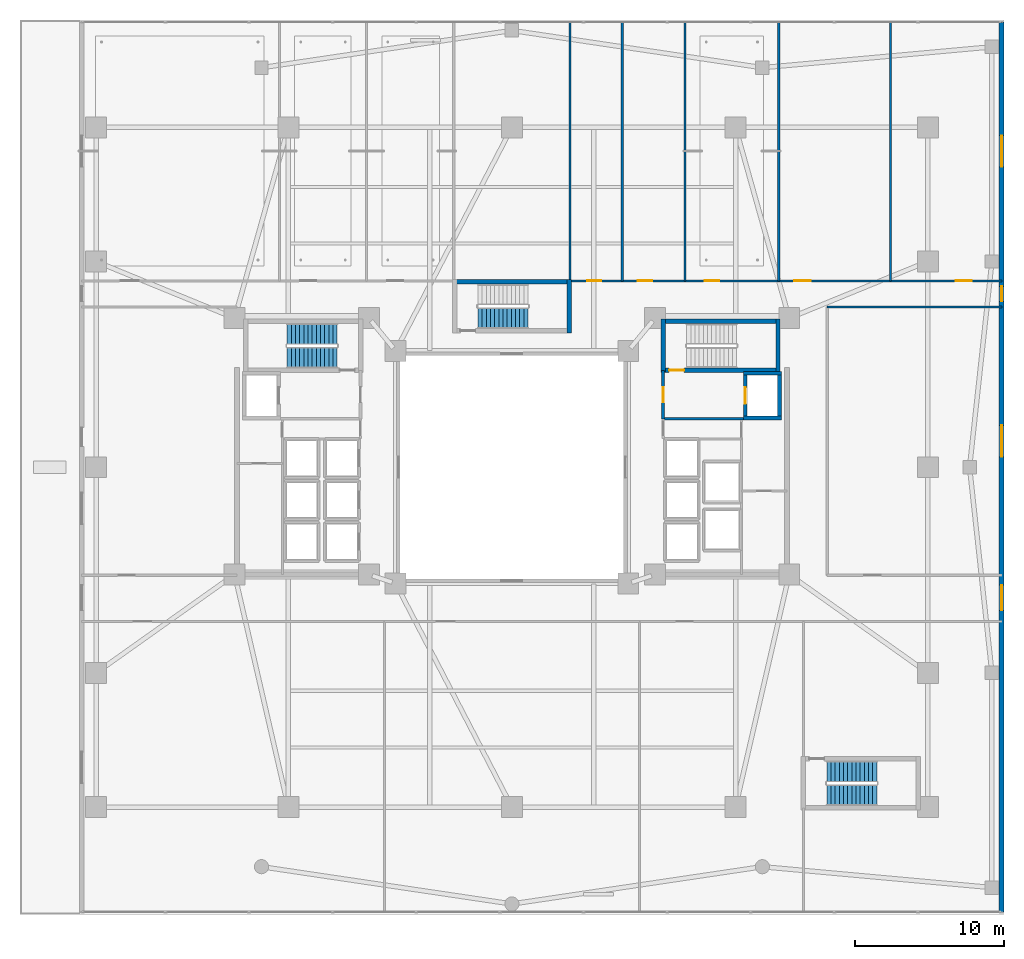
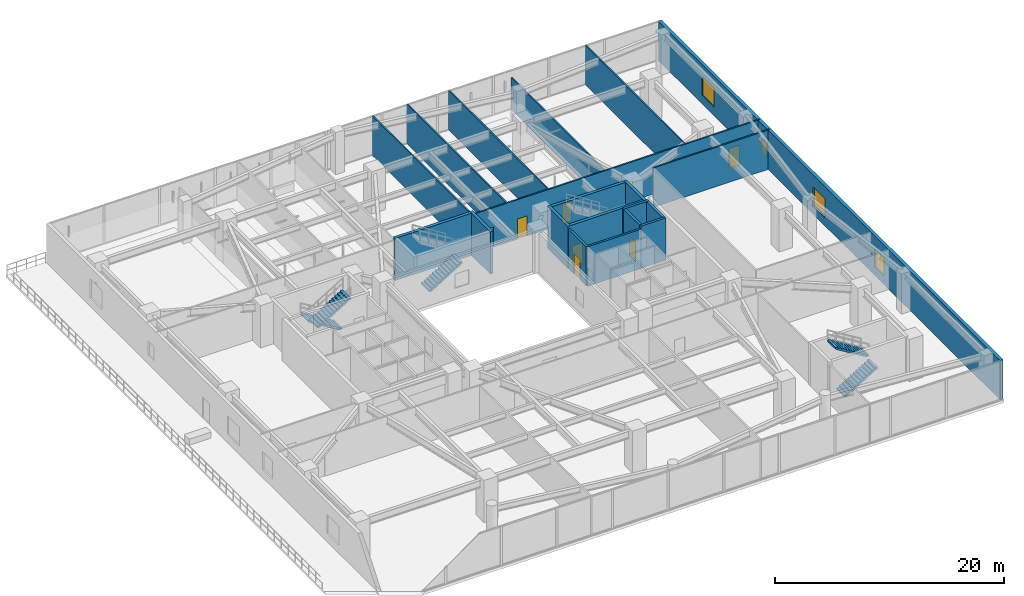
# One storey, part 21 of 29: 20 walls, 8 doors, 5 stair flights, 4 windows, 12 openings, 3 elements without a shape of their own.
"""IFC4 building model written with IfcOpenShell, lengths in metres."""

import ifcopenshell
import ifcopenshell.guid

model = None  # the IFC model being written
_history = None  # IfcOwnerHistory: only IFC2X3 demands one
_inside = {}  # id of a spatial element -> (the spatial element, [elements in it])
_under = {}  # id of a project, library or spatial element -> (it, [spatial elements below it])
_declared = {}  # id of a project -> (the project, [libraries it declares])
_typed = {}  # id of a type object -> (the type object, [elements of that type])
_made_of = {}  # id of a material, layer set ... -> (it, [elements and type objects made of it])


def new_model(schema):
    """Start an empty IFC model of exactly this schema.

    Asked for "IFC4X3", IfcOpenShell would pick the latest addendum, in which some entities
    have other attributes; the version numbers below select the first issue.
    IFC2X3 requires an IfcOwnerHistory on every rooted entity: one is made here for all.
    """
    global model, _history
    if schema == "IFC4X3":
        model = ifcopenshell.file(schema_version=(4, 3, 0, 0))
    else:
        model = ifcopenshell.file(schema=schema)
    _inside.clear()
    _under.clear()
    _declared.clear()
    _typed.clear()
    _made_of.clear()
    _history = None
    if model.schema == "IFC2X3":
        org = make("IfcOrganization", Name="unknown")
        user = make(
            "IfcPersonAndOrganization",
            ThePerson=make("IfcPerson", FamilyName="unknown"),
            TheOrganization=org,
        )
        app = make(
            "IfcApplication",
            ApplicationDeveloper=org,
            Version="unknown",
            ApplicationFullName="unknown",
            ApplicationIdentifier="unknown",
        )
        _history = make(
            "IfcOwnerHistory",
            OwningUser=user,
            OwningApplication=app,
            ChangeAction="ADDED",
            CreationDate=0,
        )
    return model


def make(cls, **values):
    """One entity of the class cls with the attributes given. An attribute that is None is left unset."""
    return model.create_entity(
        cls, **{name: value for name, value in values.items() if value is not None}
    )


def rooted(cls, **values):
    """An entity with a GlobalId (a new one), such as an element, a storey or a relation."""
    return make(cls, GlobalId=ifcopenshell.guid.new(), OwnerHistory=_history, **values)


def si_unit(unit_type, name, prefix=None):
    """IfcSIUnit, for example si_unit("LENGTHUNIT", "METRE", prefix="MILLI")."""
    return make("IfcSIUnit", UnitType=unit_type, Prefix=prefix, Name=name)


def assignment(units):
    """IfcUnitAssignment: the units of a project."""
    return None if units is None else make("IfcUnitAssignment", Units=units)


def point(xyz):
    """IfcCartesianPoint."""
    return None if xyz is None else make("IfcCartesianPoint", Coordinates=xyz)


def direction(xyz):
    """IfcDirection."""
    return None if xyz is None else make("IfcDirection", DirectionRatios=xyz)


def frame(location, z_axis=None, x_axis=None):
    """IfcAxis2Placement3D, a coordinate frame: its origin and axes. An axis left out is left unset."""
    return make(
        "IfcAxis2Placement3D",
        Location=point(location),
        Axis=direction(z_axis),
        RefDirection=direction(x_axis),
    )


def frame_2d(location, x_axis=None):
    """IfcAxis2Placement2D, a coordinate frame in the plane: its origin and x axis."""
    return make(
        "IfcAxis2Placement2D", Location=point(location), RefDirection=direction(x_axis)
    )


def origin():
    """The frame at (0, 0, 0) with its axes left unset."""
    return frame((0.0, 0.0, 0.0))


def place(relative_to, where):
    """IfcLocalPlacement: puts the frame where relative to a parent placement (None: the world)."""
    return make(
        "IfcLocalPlacement", PlacementRelTo=relative_to, RelativePlacement=where
    )


def context(
    kind, dimensions, precision=None, world=None, true_north=None, identifier=None
):
    """IfcGeometricRepresentationContext, for example the 3D "Model" context."""
    return make(
        "IfcGeometricRepresentationContext",
        ContextIdentifier=identifier,
        ContextType=kind,
        CoordinateSpaceDimension=dimensions,
        Precision=precision,
        WorldCoordinateSystem=world,
        TrueNorth=true_north,
    )


def subcontext(parent, identifier, kind, view, scale=None):
    """IfcGeometricRepresentationSubContext, for example "Body" below "Model"."""
    return make(
        "IfcGeometricRepresentationSubContext",
        ContextIdentifier=identifier,
        ContextType=kind,
        ParentContext=parent,
        TargetScale=scale,
        TargetView=view,
    )


def project(units=None, contexts=None):
    """IfcProject with its units and contexts."""
    return rooted(
        "IfcProject",
        Name="project",
        RepresentationContexts=contexts,
        UnitsInContext=assignment(units),
    )


def spatial(cls, under=None, at=None, **own):
    """A site, building, storey or space (cls), placed at a placement, below another one or the project."""
    s = rooted(cls, ObjectPlacement=at, **own)
    if under is not None:
        _under.setdefault(under.id(), (under, []))[1].append(s)
    return s


def polyline(points):
    """IfcPolyline through the points."""
    return make("IfcPolyline", Points=[point(p) for p in points])


def profile(cls, at=None, kind="AREA", **sizes):
    """A parametric profile (cls). Its sizes go by their IFC names, for example OverallWidth=200.0."""
    return make(cls, ProfileType=kind, Position=at, **sizes)


def rectangle(**sizes):
    """IfcRectangleProfileDef."""
    return profile("IfcRectangleProfileDef", **sizes)


def outline(outer, holes=None, kind="AREA"):
    """IfcArbitraryClosedProfileDef: a profile drawn as a closed curve; with holes, ...WithVoids."""
    if holes is None:
        return make("IfcArbitraryClosedProfileDef", ProfileType=kind, OuterCurve=outer)
    return make(
        "IfcArbitraryProfileDefWithVoids",
        ProfileType=kind,
        OuterCurve=outer,
        InnerCurves=holes,
    )


def extrude(swept, where, along, depth):
    """IfcExtrudedAreaSolid: the profile swept, set in the frame where, extruded along a direction by depth."""
    return make(
        "IfcExtrudedAreaSolid",
        SweptArea=swept,
        Position=where,
        ExtrudedDirection=direction(along),
        Depth=depth,
    )


def shape(context_of_items, identifier, shape_type, items):
    """IfcShapeRepresentation: the items that make up one representation, for example the "Body"."""
    return make(
        "IfcShapeRepresentation",
        ContextOfItems=context_of_items,
        RepresentationIdentifier=identifier,
        RepresentationType=shape_type,
        Items=items,
    )


def material(Name=None, Category=None):
    """IfcMaterial."""
    return make("IfcMaterial", Name=Name, Category=Category)


def layer(
    of_material, thickness, ventilated=None, Name=None, Category=None, Priority=None
):
    """IfcMaterialLayer: one layer of a wall or slab, of a material (None: an air gap)."""
    return make(
        "IfcMaterialLayer",
        Material=of_material,
        LayerThickness=thickness,
        IsVentilated=ventilated,
        Name=Name,
        Category=Category,
        Priority=Priority,
    )


def layer_set(layers, Name=None):
    """IfcMaterialLayerSet."""
    return make("IfcMaterialLayerSet", MaterialLayers=layers, LayerSetName=Name)


def made_of(thing, what):
    """Note that an element or type object is made of a material, layer set ...; save() writes the relation."""
    if what is not None:
        _made_of.setdefault(what.id(), (what, []))[1].append(thing)
    return thing


def type_object(cls, material=None, **own):
    """A type object (cls), such as IfcWallType, which elements share."""
    return made_of(rooted(cls, **own), material)


def element(
    cls,
    number,
    at=None,
    inside=None,
    cuts=None,
    type_object=None,
    material=None,
    context=None,
    identifier="Body",
    shape_type=None,
    held_by="IfcProductDefinitionShape",
    body=None,
    shapes=None,
    **own,
):
    """One element of the class cls, such as IfcWall. Its Tag is "e" and its number.

    at: its placement. inside: the storey or other place that contains it. cuts: it is an
    opening in that element (IfcRelVoidsElement). A single representation is given by context,
    identifier, shape_type and body (its items); several are given by shapes. held_by: the class
    of the entity that holds the representations. save() writes the other relations.
    """
    e = rooted(cls, Tag="e%d" % number, ObjectPlacement=at, **own)
    if body is not None:
        shapes = [shape(context, identifier, shape_type, body)]
    if shapes is not None:
        e.Representation = make(held_by, Representations=shapes)
    if inside is not None:
        _inside.setdefault(inside.id(), (inside, []))[1].append(e)
    if cuts is not None:
        rooted(
            "IfcRelVoidsElement", RelatingBuildingElement=cuts, RelatedOpeningElement=e
        )
    if type_object is not None:
        _typed.setdefault(type_object.id(), (type_object, []))[1].append(e)
    return made_of(e, material)


def fill(opening, filler):
    """IfcRelFillsElement: the door or window that sits in an opening."""
    return rooted(
        "IfcRelFillsElement",
        RelatingOpeningElement=opening,
        RelatedBuildingElement=filler,
    )


def aggregate(whole, parts):
    """IfcRelAggregates: a whole, such as a stair, and the parts it consists of."""
    return rooted("IfcRelAggregates", RelatingObject=whole, RelatedObjects=parts)


def save(model, path):
    """Write the relations noted so far, then the file.

    IfcRelAggregates (storeys below a building ...), IfcRelContainedInSpatialStructure (elements
    in a storey), IfcRelDefinesByType, IfcRelAssociatesMaterial and IfcRelDeclares: one each for
    every whole, place, type object, material and project.
    """
    for whole, parts in _under.values():
        aggregate(whole, parts)
    for where, things in _inside.values():
        rooted(
            "IfcRelContainedInSpatialStructure",
            RelatedElements=things,
            RelatingStructure=where,
        )
    for kind, things in _typed.values():
        rooted("IfcRelDefinesByType", RelatedObjects=things, RelatingType=kind)
    for what, things in _made_of.values():
        rooted("IfcRelAssociatesMaterial", RelatedObjects=things, RelatingMaterial=what)
    for by, libraries in _declared.values():
        rooted("IfcRelDeclares", RelatingContext=by, RelatedDefinitions=libraries)
    model.write(path)


model = new_model("IFC4")

# Units and contexts
model_context = context("Model", 3, precision=1e-05, world=origin(), true_north=direction((0.0, 1.0)))
body_context = subcontext(model_context, "Body", "Model", "MODEL_VIEW")
ifc_project = project(units=[si_unit("LENGTHUNIT", "METRE"), si_unit("AREAUNIT", "SQUARE_METRE"), si_unit("VOLUMEUNIT", "CUBIC_METRE"), si_unit("PLANEANGLEUNIT", "RADIAN"), si_unit("MASSUNIT", "GRAM", prefix="KILO")], contexts=[model_context])

# Site, building, storey
site_placement = place(None, origin())
site = spatial("IfcSite", under=ifc_project, at=site_placement, CompositionType="ELEMENT")
building_placement = place(site_placement, origin())
building = spatial("IfcBuilding", under=site, at=building_placement, Name="Tarnavaz Court Tower", CompositionType="ELEMENT")
storey_placement = place(building_placement, frame((0.0, 0.0, 5.39990234375)))
storey = spatial("IfcBuildingStorey", under=building, at=storey_placement, Name="L01", CompositionType="ELEMENT", Elevation=5.39990234375)

# Wall, opening, door
ifc_material_1 = material(Name="Concrete C60/75", Category="concrete")
ifc_layer_1 = layer(ifc_material_1, 0.25)
ifc_layer_set_1 = layer_set([ifc_layer_1], Name="Concrete C60/75")
wall_type_1 = type_object("IfcWallType", Name="WL-CORE-250-C60", PredefinedType="SHEAR", material=ifc_layer_set_1)
wall_1_placement = place(storey_placement, frame((15.64990234375, 3.175048828125, 0.0), z_axis=(0.0, 0.0, 1.0), x_axis=(0.0, 1.0, 0.0)))
wall_1 = element("IfcWall", 1, at=wall_1_placement, inside=storey, type_object=wall_type_1, Name="L01 Lift FL-E1 Shaft Wall 049", PredefinedType="SHEAR", context=body_context, shape_type="SweptSolid", body=[
    extrude(rectangle(XDim=3.25, YDim=0.25, at=frame_2d((1.625, 0.0))), origin(), (0.0, 0.0, 1.0), 4.5),
])
opening_1_placement = place(wall_1_placement, frame((1.074951171875, 0.0, 0.0)))
opening_1 = element("IfcOpeningElement", 2, at=opening_1_placement, cuts=wall_1, Name="Opening LD1", PredefinedType="OPENING", context=body_context, shape_type="SweptSolid", body=[
    extrude(rectangle(XDim=1.10009765625, YDim=2.14990234375, at=frame_2d((0.550048828125, 1.074951171875))), frame((0.0, 0.135009765625, 0.0), z_axis=(0.0, -1.0, 0.0), x_axis=(1.0, 0.0, 0.0)), (0.0, 0.0, 1.0), 0.27001953125),
])
ifc_material_2 = material(Name="Stainless Steel", Category="steel")
door_type_1 = type_object("IfcDoorType", Name="DR-LD-1100", OperationType="NOTDEFINED", PredefinedType="DOOR", material=ifc_material_2)
door_1_placement = place(opening_1_placement, origin())
door_1 = element("IfcDoor", 3, at=door_1_placement, inside=storey, type_object=door_type_1, Name="L01 Lift Landing Door LD-FL-E1", OperationType="SLIDING_TO_LEFT", OverallHeight=2.14990234375, OverallWidth=1.10009765625, PredefinedType="DOOR", context=body_context, shape_type="SweptSolid", body=[
    extrude(rectangle(XDim=1.10009765625, YDim=2.14990234375, at=frame_2d((0.550048828125, 1.074951171875))), frame((0.0, 0.02490234375, 0.0), z_axis=(0.0, -1.0, 0.0), x_axis=(1.0, 0.0, 0.0)), (0.0, 0.0, 1.0), 0.050048828125),
])
fill(opening_1, door_1)

# Walls
wall_2_placement = place(storey_placement, frame((17.949951171875, 3.175048828125, 0.0), z_axis=(0.0, 0.0, 1.0), x_axis=(0.0, 1.0, 0.0)))
element("IfcWall", 4, at=wall_2_placement, inside=storey, type_object=wall_type_1, Name="L01 Lift FL-E1 Shaft Wall 050", PredefinedType="SHEAR", context=body_context, shape_type="SweptSolid", body=[
    extrude(rectangle(XDim=3.25, YDim=0.25, at=frame_2d((1.625, 0.0))), origin(), (0.0, 0.0, 1.0), 4.5),
])
for number, where, z_axis, x_axis, name in (
    (5, (15.52490234375, 3.300048828125, 0.0), (0.0, 0.0, 1.0), (1.0, 0.0, 0.0), "L01 Lift FL-E1 Shaft Wall 051"),
    (6, (15.52490234375, 6.300048828125, 0.0), (0.0, 0.0, 1.0), (1.0, 0.0, 0.0), "L01 Lift FL-E1 Shaft Wall 052"),
):
    element("IfcWall", number, at=place(storey_placement, frame(where, z_axis=z_axis, x_axis=x_axis)), inside=storey, type_object=wall_type_1, Name=name, PredefinedType="SHEAR", context=body_context, shape_type="SweptSolid", body=[
        extrude(rectangle(XDim=2.550048828125, YDim=0.25, at=frame_2d((1.27490234375, 0.0))), origin(), (0.0, 0.0, 1.0), 4.5),
    ])
ifc_layer_2 = layer(ifc_material_1, 0.300048828125)
ifc_layer_set_2 = layer_set([ifc_layer_2], Name="Concrete C60/75")
wall_type_2 = type_object("IfcWallType", Name="WL-CORE-300-C60", PredefinedType="SHEAR", material=ifc_layer_set_2)
wall_3_placement = place(storey_placement, frame((10.0, 9.7900390625, 0.0), z_axis=(0.0, 0.0, 1.0), x_axis=(1.0, 0.0, 0.0)))
element("IfcWall", 7, at=wall_3_placement, inside=storey, type_object=wall_type_2, Name="L01 East Stair Core Wall 005", PredefinedType="SHEAR", context=body_context, shape_type="SweptSolid", body=[
    extrude(rectangle(XDim=8.0, YDim=0.300048828125, at=frame_2d((4.0, 0.0))), origin(), (0.0, 0.0, 1.0), 4.5),
])

# Wall, opening, door
wall_4_placement = place(storey_placement, frame((10.0, 6.5, 0.0), z_axis=(0.0, 0.0, 1.0), x_axis=(1.0, 0.0, 0.0)))
wall_4 = element("IfcWall", 8, at=wall_4_placement, inside=storey, type_object=wall_type_2, Name="L01 East Stair Core Wall 006", PredefinedType="SHEAR", context=body_context, shape_type="SweptSolid", body=[
    extrude(rectangle(XDim=8.0, YDim=0.300048828125, at=frame_2d((4.0, 0.0))), origin(), (0.0, 0.0, 1.0), 4.5),
])
opening_2_placement = place(wall_4_placement, frame((0.550048828125, 0.0, 0.0)))
opening_2 = element("IfcOpeningElement", 9, at=opening_2_placement, cuts=wall_4, Name="Opening D01", PredefinedType="OPENING", context=body_context, shape_type="SweptSolid", body=[
    extrude(rectangle(XDim=1.0, YDim=2.14990234375, at=frame_2d((0.5, 1.074951171875))), frame((0.0, 0.159912109375, 0.0), z_axis=(0.0, -1.0, 0.0), x_axis=(1.0, 0.0, 0.0)), (0.0, 0.0, 1.0), 0.320068359375),
])
ifc_material_3 = material(Name="Fire-Rated Hardwood Timber Core", Category="wood")
door_type_2 = type_object("IfcDoorType", Name="DR-FD90-1000", OperationType="NOTDEFINED", PredefinedType="DOOR", material=ifc_material_3)
door_2_placement = place(opening_2_placement, origin())
door_2 = element("IfcDoor", 10, at=door_2_placement, inside=storey, type_object=door_type_2, Name="L01 Stair ST-E1 Exit Door", OperationType="SINGLE_SWING_RIGHT", OverallHeight=2.14990234375, OverallWidth=1.0, PredefinedType="DOOR", context=body_context, shape_type="SweptSolid", body=[
    extrude(rectangle(XDim=1.0, YDim=2.14990234375, at=frame_2d((0.5, 1.074951171875))), frame((0.0, 0.02490234375, 0.0), z_axis=(0.0, -1.0, 0.0), x_axis=(1.0, 0.0, 0.0)), (0.0, 0.0, 1.0), 0.050048828125),
])
fill(opening_2, door_2)

# Walls
for number, where, z_axis, x_axis, name in (
    (11, (10.14990234375, 6.35009765625, 0.0), (0.0, 0.0, 1.0), (0.0, 1.0, 0.0), "L01 East Stair Core Wall 007"),
    (12, (17.85009765625, 6.35009765625, 0.0), (0.0, 0.0, 1.0), (0.0, 1.0, 0.0), "L01 East Stair Core Wall 008"),
):
    element("IfcWall", number, at=place(storey_placement, frame(where, z_axis=z_axis, x_axis=x_axis)), inside=storey, type_object=wall_type_2, Name=name, PredefinedType="SHEAR", context=body_context, shape_type="SweptSolid", body=[
        extrude(rectangle(XDim=3.58984375, YDim=0.300048828125, at=frame_2d((1.794921875, 0.0))), origin(), (0.0, 0.0, 1.0), 4.5),
    ])
wall_5_placement = place(storey_placement, frame((-4.0, 12.43994140625, 0.0), z_axis=(0.0, 0.0, 1.0), x_axis=(1.0, 0.0, 0.0)))
element("IfcWall", 13, at=wall_5_placement, inside=storey, type_object=wall_type_2, Name="L01 North Stair Core Wall 009", PredefinedType="SHEAR", context=body_context, shape_type="SweptSolid", body=[
    extrude(rectangle(XDim=8.0, YDim=0.300048828125, at=frame_2d((4.0, 0.0))), origin(), (0.0, 0.0, 1.0), 4.5),
])
wall_6_placement = place(storey_placement, frame((3.85009765625, 9.0, 0.0), z_axis=(0.0, 0.0, 1.0), x_axis=(0.0, 1.0, 0.0)))
element("IfcWall", 14, at=wall_6_placement, inside=storey, type_object=wall_type_2, Name="L01 North Stair Core Wall 012", PredefinedType="SHEAR", context=body_context, shape_type="SweptSolid", body=[
    extrude(rectangle(XDim=3.590087890625, YDim=0.300048828125, at=frame_2d((1.794921875, 0.0))), origin(), (0.0, 0.0, 1.0), 4.5),
])

# Wall, openings, windows
ifc_material_4 = material(Name="Precast Concrete C40/50", Category="concrete")
ifc_layer_3 = layer(ifc_material_4, 0.320068359375)
ifc_layer_set_3 = layer_set([ifc_layer_3], Name="Precast Concrete C40/50")
wall_type_3 = type_object("IfcWallType", Name="WL-EXT-320", PredefinedType="SOLIDWALL", material=ifc_layer_set_3)
wall_7_placement = place(storey_placement, frame((32.85009765625, 29.85009765625, 0.0), z_axis=(0.0, 0.0, 1.0), x_axis=(0.0, -1.0, 0.0)))
wall_7 = element("IfcWall", 15, at=wall_7_placement, inside=storey, type_object=wall_type_3, Name="L01 Exterior Terracotta Facade Wall 02", PredefinedType="SOLIDWALL", context=body_context, shape_type="SweptSolid", body=[
    extrude(rectangle(XDim=59.7001953125, YDim=0.320068359375, at=frame_2d((29.85009765625, 0.0))), origin(), (0.0, 0.0, 1.0), 4.2001953125),
])
opening_3_placement = place(wall_7_placement, frame((7.60009765625, 0.0, 0.89990234375)))
opening_3 = element("IfcOpeningElement", 16, at=opening_3_placement, cuts=wall_7, Name="Opening W09", PredefinedType="OPENING", context=body_context, shape_type="SweptSolid", body=[
    extrude(rectangle(XDim=2.10009765625, YDim=2.0, at=frame_2d((1.050048828125, 1.0))), frame((0.0, 0.169921875, 0.0), z_axis=(0.0, -1.0, 0.0), x_axis=(1.0, 0.0, 0.0)), (0.0, 0.0, 1.0), 0.340087890625),
])
opening_4_placement = place(wall_7_placement, frame((17.72509765625, 0.0, 0.949951171875)))
opening_4 = element("IfcOpeningElement", 17, at=opening_4_placement, cuts=wall_7, Name="Opening W14", PredefinedType="OPENING", context=body_context, shape_type="SweptSolid", body=[
    extrude(rectangle(XDim=1.0, YDim=1.5, at=frame_2d((0.5, 0.75))), frame((0.0, 0.169921875, 0.0), z_axis=(0.0, -1.0, 0.0), x_axis=(1.0, 0.0, 0.0)), (0.0, 0.0, 1.0), 0.340087890625),
])
opening_5_placement = place(wall_7_placement, frame((27.050048828125, 0.0, 0.89990234375)))
opening_5 = element("IfcOpeningElement", 18, at=opening_5_placement, cuts=wall_7, Name="Opening W09", PredefinedType="OPENING", context=body_context, shape_type="SweptSolid", body=[
    extrude(rectangle(XDim=2.10009765625, YDim=2.0, at=frame_2d((1.050048828125, 1.0))), frame((0.0, 0.169921875, 0.0), z_axis=(0.0, -1.0, 0.0), x_axis=(1.0, 0.0, 0.0)), (0.0, 0.0, 1.0), 0.340087890625),
])
opening_6_placement = place(wall_7_placement, frame((37.757568359375, 0.0, 0.89990234375)))
opening_6 = element("IfcOpeningElement", 19, at=opening_6_placement, cuts=wall_7, Name="Opening W10", PredefinedType="OPENING", context=body_context, shape_type="SweptSolid", body=[
    extrude(rectangle(XDim=1.699951171875, YDim=1.89990234375, at=frame_2d((0.85009765625, 0.949951171875))), frame((0.0, 0.169921875, 0.0), z_axis=(0.0, -1.0, 0.0), x_axis=(1.0, 0.0, 0.0)), (0.0, 0.0, 1.0), 0.340087890625),
])
ifc_material_5 = material(Name="Double-Glazed Solar Low-E Glass", Category="glass")
window_type_1 = type_object("IfcWindowType", Name="WN-APT-1000", PartitioningType="SINGLE_PANEL", PredefinedType="WINDOW", material=ifc_material_5)
window_1_placement = place(opening_4_placement, origin())
window_1 = element("IfcWindow", 20, at=window_1_placement, inside=storey, type_object=window_type_1, Name="L01 North-East Wing Corridor Window", OverallHeight=1.5, OverallWidth=1.0, PartitioningType="SINGLE_PANEL", PredefinedType="WINDOW", context=body_context, shape_type="SweptSolid", body=[
    extrude(rectangle(XDim=1.0, YDim=1.5, at=frame_2d((0.5, 0.75))), frame((0.0, 0.030029296875, 0.0), z_axis=(0.0, -1.0, 0.0), x_axis=(1.0, 0.0, 0.0)), (0.0, 0.0, 1.0), 0.06005859375),
])
fill(opening_4, window_1)
window_type_2 = type_object("IfcWindowType", Name="WN-CLN-1700", PartitioningType="DOUBLE_PANEL_VERTICAL", PredefinedType="WINDOW", material=ifc_material_5)
window_2_placement = place(opening_6_placement, origin())
window_2 = element("IfcWindow", 21, at=window_2_placement, inside=storey, type_object=window_type_2, Name="L01 South-East Wing Corridor Window", OverallHeight=1.89990234375, OverallWidth=1.699951171875, PartitioningType="SINGLE_PANEL", PredefinedType="WINDOW", context=body_context, shape_type="SweptSolid", body=[
    extrude(rectangle(XDim=1.699951171875, YDim=1.89990234375, at=frame_2d((0.85009765625, 0.949951171875))), frame((0.0, 0.030029296875, 0.0), z_axis=(0.0, -1.0, 0.0), x_axis=(1.0, 0.0, 0.0)), (0.0, 0.0, 1.0), 0.06005859375),
])
fill(opening_6, window_2)
window_type_3 = type_object("IfcWindowType", Name="WN-CLN-2100", PartitioningType="DOUBLE_PANEL_VERTICAL", PredefinedType="WINDOW", material=ifc_material_5)
window_3_placement = place(opening_3_placement, origin())
window_3 = element("IfcWindow", 22, at=window_3_placement, inside=storey, type_object=window_type_3, Name="L01 L01 Specialist Consultation Office Window", OverallHeight=2.0, OverallWidth=2.10009765625, PartitioningType="SINGLE_PANEL", PredefinedType="WINDOW", context=body_context, shape_type="SweptSolid", body=[
    extrude(rectangle(XDim=2.10009765625, YDim=2.0, at=frame_2d((1.050048828125, 1.0))), frame((0.0, 0.030029296875, 0.0), z_axis=(0.0, -1.0, 0.0), x_axis=(1.0, 0.0, 0.0)), (0.0, 0.0, 1.0), 0.06005859375),
])
fill(opening_3, window_3)
window_4_placement = place(opening_5_placement, origin())
window_4 = element("IfcWindow", 23, at=window_4_placement, inside=storey, type_object=window_type_3, Name="L01 L01 East Chahar-Bagh Clinical Lounge Window", OverallHeight=2.0, OverallWidth=2.10009765625, PartitioningType="SINGLE_PANEL", PredefinedType="WINDOW", context=body_context, shape_type="SweptSolid", body=[
    extrude(rectangle(XDim=2.10009765625, YDim=2.0, at=frame_2d((1.050048828125, 1.0))), frame((0.0, 0.030029296875, 0.0), z_axis=(0.0, -1.0, 0.0), x_axis=(1.0, 0.0, 0.0)), (0.0, 0.0, 1.0), 0.06005859375),
])
fill(opening_5, window_4)

# Wall, openings, doors
ifc_material_6 = material(Name="Gypsum Fire-Board on Acoustic Metal Stud", Category="masonry")
ifc_layer_4 = layer(ifc_material_6, 0.14990234375)
ifc_layer_set_4 = layer_set([ifc_layer_4], Name="Gypsum Fire-Board on Acoustic Metal Stud")
wall_type_4 = type_object("IfcWallType", Name="WL-FIRE-150", PredefinedType="PARTITIONING", material=ifc_layer_set_4)
wall_8_placement = place(storey_placement, frame((3.85009765625, 12.5, 0.0), z_axis=(0.0, 0.0, 1.0), x_axis=(1.0, 0.0, 0.0)))
wall_8 = element("IfcWall", 24, at=wall_8_placement, inside=storey, type_object=wall_type_4, Name="L01 NE Wing Corridor Wall 086", PredefinedType="PARTITIONING", context=body_context, shape_type="SweptSolid", body=[
    extrude(rectangle(XDim=29.02978515625, YDim=0.14990234375, at=frame_2d((14.514892578125, 0.0))), origin(), (0.0, 0.0, 1.0), 4.2001953125),
])
opening_7_placement = place(wall_8_placement, frame((1.199951171875, 0.0, 0.0)))
opening_7 = element("IfcOpeningElement", 25, at=opening_7_placement, cuts=wall_8, Name="Opening D13", PredefinedType="OPENING", context=body_context, shape_type="SweptSolid", body=[
    extrude(rectangle(XDim=0.949951171875, YDim=2.14990234375, at=frame_2d((0.47509765625, 1.074951171875))), frame((0.0, 0.0849609375, 0.0), z_axis=(0.0, -1.0, 0.0), x_axis=(1.0, 0.0, 0.0)), (0.0, 0.0, 1.0), 0.169921875),
])
opening_8_placement = place(wall_8_placement, frame((4.60009765625, 0.0, 0.0)))
opening_8 = element("IfcOpeningElement", 26, at=opening_8_placement, cuts=wall_8, Name="Opening D13", PredefinedType="OPENING", context=body_context, shape_type="SweptSolid", body=[
    extrude(rectangle(XDim=0.949951171875, YDim=2.14990234375, at=frame_2d((0.47509765625, 1.074951171875))), frame((0.0, 0.0849609375, 0.0), z_axis=(0.0, -1.0, 0.0), x_axis=(1.0, 0.0, 0.0)), (0.0, 0.0, 1.0), 0.169921875),
])
opening_9_placement = place(wall_8_placement, frame((9.10009765625, 0.0, 0.0)))
opening_9 = element("IfcOpeningElement", 27, at=opening_9_placement, cuts=wall_8, Name="Opening D13", PredefinedType="OPENING", context=body_context, shape_type="SweptSolid", body=[
    extrude(rectangle(XDim=0.949951171875, YDim=2.14990234375, at=frame_2d((0.47509765625, 1.074951171875))), frame((0.0, 0.0849609375, 0.0), z_axis=(0.0, -1.0, 0.0), x_axis=(1.0, 0.0, 0.0)), (0.0, 0.0, 1.0), 0.169921875),
])
opening_10_placement = place(wall_8_placement, frame((15.10009765625, 0.0, 0.0)))
opening_10 = element("IfcOpeningElement", 28, at=opening_10_placement, cuts=wall_8, Name="Opening D12", PredefinedType="OPENING", context=body_context, shape_type="SweptSolid", body=[
    extrude(rectangle(XDim=1.080078125, YDim=2.14990234375, at=frame_2d((0.5400390625, 1.074951171875))), frame((0.0, 0.0849609375, 0.0), z_axis=(0.0, -1.0, 0.0), x_axis=(1.0, 0.0, 0.0)), (0.0, 0.0, 1.0), 0.169921875),
])
opening_11_placement = place(wall_8_placement, frame((25.929931640625, 0.0, 0.0)))
opening_11 = element("IfcOpeningElement", 29, at=opening_11_placement, cuts=wall_8, Name="Opening D12", PredefinedType="OPENING", context=body_context, shape_type="SweptSolid", body=[
    extrude(rectangle(XDim=1.080078125, YDim=2.14990234375, at=frame_2d((0.5400390625, 1.074951171875))), frame((0.0, 0.0849609375, 0.0), z_axis=(0.0, -1.0, 0.0), x_axis=(1.0, 0.0, 0.0)), (0.0, 0.0, 1.0), 0.169921875),
])
ifc_material_7 = material(Name="Engineered Oak Timber", Category="wood")
door_type_3 = type_object("IfcDoorType", Name="DR-INT-1100", OperationType="NOTDEFINED", PredefinedType="DOOR", material=ifc_material_7)
door_3_placement = place(opening_10_placement, origin())
door_3 = element("IfcDoor", 30, at=door_3_placement, inside=storey, type_object=door_type_3, Name="L01 Diagnostic Ultrasound and X-Ray Imaging Suite Door", OperationType="SINGLE_SWING_RIGHT", OverallHeight=2.14990234375, OverallWidth=1.080078125, PredefinedType="DOOR", context=body_context, shape_type="SweptSolid", body=[
    extrude(rectangle(XDim=1.080078125, YDim=2.14990234375, at=frame_2d((0.5400390625, 1.074951171875))), frame((0.0, 0.02490234375, 0.0), z_axis=(0.0, -1.0, 0.0), x_axis=(1.0, 0.0, 0.0)), (0.0, 0.0, 1.0), 0.050048828125),
])
fill(opening_10, door_3)
door_4_placement = place(opening_11_placement, origin())
door_4 = element("IfcDoor", 31, at=door_4_placement, inside=storey, type_object=door_type_3, Name="L01 Specialist Office Door", OperationType="SINGLE_SWING_LEFT", OverallHeight=2.14990234375, OverallWidth=1.080078125, PredefinedType="DOOR", context=body_context, shape_type="SweptSolid", body=[
    extrude(rectangle(XDim=1.080078125, YDim=2.14990234375, at=frame_2d((0.5400390625, 1.074951171875))), frame((0.0, 0.02490234375, 0.0), z_axis=(0.0, -1.0, 0.0), x_axis=(1.0, 0.0, 0.0)), (0.0, 0.0, 1.0), 0.050048828125),
])
fill(opening_11, door_4)
door_type_4 = type_object("IfcDoorType", Name="DR-INT-950", OperationType="NOTDEFINED", PredefinedType="DOOR", material=ifc_material_7)
door_5_placement = place(opening_7_placement, origin())
door_5 = element("IfcDoor", 32, at=door_5_placement, inside=storey, type_object=door_type_4, Name="L01 L01 Accessible WC Door", OperationType="SINGLE_SWING_LEFT", OverallHeight=2.14990234375, OverallWidth=0.949951171875, PredefinedType="DOOR", context=body_context, shape_type="SweptSolid", body=[
    extrude(rectangle(XDim=0.949951171875, YDim=2.14990234375, at=frame_2d((0.47509765625, 1.074951171875))), frame((0.0, 0.02490234375, 0.0), z_axis=(0.0, -1.0, 0.0), x_axis=(1.0, 0.0, 0.0)), (0.0, 0.0, 1.0), 0.050048828125),
])
fill(opening_7, door_5)
door_6_placement = place(opening_8_placement, origin())
door_6 = element("IfcDoor", 33, at=door_6_placement, inside=storey, type_object=door_type_4, Name="L01 L01 Public Toilets Door", OperationType="SINGLE_SWING_RIGHT", OverallHeight=2.14990234375, OverallWidth=0.949951171875, PredefinedType="DOOR", context=body_context, shape_type="SweptSolid", body=[
    extrude(rectangle(XDim=0.949951171875, YDim=2.14990234375, at=frame_2d((0.47509765625, 1.074951171875))), frame((0.0, 0.02490234375, 0.0), z_axis=(0.0, -1.0, 0.0), x_axis=(1.0, 0.0, 0.0)), (0.0, 0.0, 1.0), 0.050048828125),
])
fill(opening_8, door_6)
door_7_placement = place(opening_9_placement, origin())
door_7 = element("IfcDoor", 34, at=door_7_placement, inside=storey, type_object=door_type_4, Name="L01 L01 Administration Office Door", OperationType="SINGLE_SWING_LEFT", OverallHeight=2.14990234375, OverallWidth=0.949951171875, PredefinedType="DOOR", context=body_context, shape_type="SweptSolid", body=[
    extrude(rectangle(XDim=0.949951171875, YDim=2.14990234375, at=frame_2d((0.47509765625, 1.074951171875))), frame((0.0, 0.02490234375, 0.0), z_axis=(0.0, -1.0, 0.0), x_axis=(1.0, 0.0, 0.0)), (0.0, 0.0, 1.0), 0.050048828125),
])
fill(opening_9, door_7)

# Walls
wall_9_placement = place(storey_placement, frame((21.14990234375, 10.75, 0.0), z_axis=(0.0, 0.0, 1.0), x_axis=(1.0, 0.0, 0.0)))
element("IfcWall", 35, at=wall_9_placement, inside=storey, type_object=wall_type_4, Name="L01 Interior Partition 106", PredefinedType="PARTITIONING", context=body_context, shape_type="SweptSolid", body=[
    extrude(rectangle(XDim=11.72998046875, YDim=0.14990234375, at=frame_2d((5.864990234375, 0.0))), origin(), (0.0, 0.0, 1.0), 4.2001953125),
])
ifc_material_8 = material(Name="Autoclaved Aerated Concrete Blockwork", Category="masonry")
ifc_layer_5 = layer(ifc_material_8, 0.199951171875)
ifc_layer_set_5 = layer_set([ifc_layer_5], Name="Autoclaved Aerated Concrete Blockwork")
wall_type_5 = type_object("IfcWallType", Name="WL-FIRE-200", PredefinedType="SOLIDWALL", material=ifc_layer_set_5)
wall_10_placement = place(storey_placement, frame((10.14990234375, 3.25, 0.0), z_axis=(0.0, 0.0, 1.0), x_axis=(1.0, 0.0, 0.0)))
element("IfcWall", 36, at=wall_10_placement, inside=storey, type_object=wall_type_5, Name="L01 East Firefighting Lobby Wall 019", PredefinedType="SOLIDWALL", context=body_context, shape_type="SweptSolid", body=[
    extrude(rectangle(XDim=5.400146484375, YDim=0.199951171875, at=frame_2d((2.7001953125, 0.0))), origin(), (0.0, 0.0, 1.0), 4.2001953125),
])

# Wall, opening, door
wall_11_placement = place(storey_placement, frame((10.14990234375, 3.25, 0.0), z_axis=(0.0, 0.0, 1.0), x_axis=(0.0, 1.0, 0.0)))
wall_11 = element("IfcWall", 37, at=wall_11_placement, inside=storey, type_object=wall_type_5, Name="L01 East Firefighting Lobby Wall 020", PredefinedType="SOLIDWALL", context=body_context, shape_type="SweptSolid", body=[
    extrude(rectangle(XDim=3.25, YDim=0.199951171875, at=frame_2d((1.625, 0.0))), origin(), (0.0, 0.0, 1.0), 4.2001953125),
])
opening_12_placement = place(wall_11_placement, frame((1.10009765625, 0.0, 0.0)))
opening_12 = element("IfcOpeningElement", 38, at=opening_12_placement, cuts=wall_11, Name="Opening D05", PredefinedType="OPENING", context=body_context, shape_type="SweptSolid", body=[
    extrude(rectangle(XDim=1.02001953125, YDim=2.14990234375, at=frame_2d((0.510009765625, 1.074951171875))), frame((0.0, 0.10986328125, 0.0), z_axis=(0.0, -1.0, 0.0), x_axis=(1.0, 0.0, 0.0)), (0.0, 0.0, 1.0), 0.219970703125),
])
door_type_5 = type_object("IfcDoorType", Name="DR-FD60-1000", OperationType="NOTDEFINED", PredefinedType="DOOR", material=ifc_material_3)
door_8_placement = place(opening_12_placement, origin())
door_8 = element("IfcDoor", 39, at=door_8_placement, inside=storey, type_object=door_type_5, Name="L01 East Firefighting Lobby Door", OperationType="SINGLE_SWING_LEFT", OverallHeight=2.14990234375, OverallWidth=1.02001953125, PredefinedType="DOOR", context=body_context, shape_type="SweptSolid", body=[
    extrude(rectangle(XDim=1.02001953125, YDim=2.14990234375, at=frame_2d((0.510009765625, 1.074951171875))), frame((0.0, 0.02490234375, 0.0), z_axis=(0.0, -1.0, 0.0), x_axis=(1.0, 0.0, 0.0)), (0.0, 0.0, 1.0), 0.050048828125),
])
fill(opening_12, door_8)

# Walls
ifc_material_9 = material(Name="Gypsum Plasterboard Acoustic Partition", Category="masonry")
ifc_layer_6 = layer(ifc_material_9, 0.139892578125)
ifc_layer_set_6 = layer_set([ifc_layer_6], Name="Gypsum Plasterboard Acoustic Partition")
wall_type_6 = type_object("IfcWallType", Name="WL-PART-150", PredefinedType="PARTITIONING", material=ifc_layer_set_6)
for number, where, z_axis, x_axis, name in (
    (40, (3.89990234375, 12.5, 0.0), (0.0, 0.0, 1.0), (0.0, 1.0, 0.0), "L01 Interior Partition 092"),
    (41, (7.39990234375, 12.5, 0.0), (0.0, 0.0, 1.0), (0.0, 1.0, 0.0), "L01 Interior Partition 095"),
    (42, (11.60009765625, 12.5, 0.0), (0.0, 0.0, 1.0), (0.0, 1.0, 0.0), "L01 Interior Partition 096"),
):
    element("IfcWall", number, at=place(storey_placement, frame(where, z_axis=z_axis, x_axis=x_axis)), inside=storey, type_object=wall_type_6, Name=name, PredefinedType="PARTITIONING", context=body_context, shape_type="SweptSolid", body=[
        extrude(rectangle(XDim=17.3798828125, YDim=0.139892578125, at=frame_2d((8.68994140625, 0.0))), origin(), (0.0, 0.0, 1.0), 4.2001953125),
    ])
wall_12_placement = place(storey_placement, frame((17.89990234375, 12.5, 0.0), z_axis=(0.0, 0.0, 1.0), x_axis=(0.0, 1.0, 0.0)))
element("IfcWall", 43, at=wall_12_placement, inside=storey, type_object=wall_type_6, Name="L01 Interior Partition 097", PredefinedType="PARTITIONING", context=body_context, shape_type="SweptSolid", body=[
    extrude(rectangle(XDim=17.3798828125, YDim=0.139892578125, at=frame_2d((8.68994140625, 0.0))), origin(), (0.0, 0.0, 1.0), 3.385009765625),
])
wall_13_placement = place(storey_placement, frame((25.389892578125, 12.5, 0.0), z_axis=(0.0, 0.0, 1.0), x_axis=(0.0, 1.0, 0.0)))
element("IfcWall", 44, at=wall_13_placement, inside=storey, type_object=wall_type_6, Name="L01 Interior Partition 098", PredefinedType="PARTITIONING", context=body_context, shape_type="SweptSolid", body=[
    extrude(rectangle(XDim=17.3798828125, YDim=0.139892578125, at=frame_2d((8.68994140625, 0.0))), origin(), (0.0, 0.0, 1.0), 4.2001953125),
])

# Stair, stair flights
ifc_material_10 = material(Name="Concrete C40/50", Category="concrete")
stair_type = type_object("IfcStairType", Name="ST-TWR-26R", PredefinedType="HALF_TURN_STAIR", material=ifc_material_10)
stair_1_placement = place(storey_placement, origin())
stair_1 = element("IfcStair", 45, at=stair_1_placement, inside=storey, type_object=stair_type, Name="L01 West Core Pressurized Exit Stair ST-W1", PredefinedType="HALF_TURN_STAIR")
stair_flight_type = type_object("IfcStairFlightType", Name="SFL-RC-26R", PredefinedType="STRAIGHT", material=ifc_material_10)
stair_flight_1_placement = place(storey_placement, frame((-11.719970703125, 8.929931640625, 0.0), z_axis=(0.0, 0.0, 1.0), x_axis=(-1.0, 0.0, 0.0)))
stair_flight_1 = element("IfcStairFlight", 46, at=stair_flight_1_placement, type_object=stair_flight_type, Name="ST-W1 flight 1", NumberOfRisers=13, NumberOfTreads=12, PredefinedType="STRAIGHT", RiserHeight=0.173076923, TreadLength=0.28, context=body_context, shape_type="SweptSolid", body=[
    extrude(outline(polyline([(0.0, 0.0), (0.0, 0.173095703125), (0.280029296875, 0.173095703125), (0.280029296875, 0.34619140625), (0.56005859375, 0.34619140625), (0.56005859375, 0.519287109375), (0.840087890625, 0.519287109375), (0.840087890625, 0.6923828125), (1.1201171875, 0.6923828125), (1.1201171875, 0.865478515625), (1.39990234375, 0.865478515625), (1.39990234375, 1.03857421875), (1.679931640625, 1.03857421875), (1.679931640625, 1.21142578125), (1.9599609375, 1.21142578125), (1.9599609375, 1.384521484375), (2.239990234375, 1.384521484375), (2.239990234375, 1.5576171875), (2.52001953125, 1.5576171875), (2.52001953125, 1.730712890625), (2.800048828125, 1.730712890625), (2.800048828125, 1.90380859375), (3.080078125, 1.90380859375), (3.080078125, 2.076904296875), (3.360107421875, 2.076904296875), (3.360107421875, 2.25), (3.360107421875, 1.900634765625), (0.28515625, 0.0), (0.0, 0.0)])), frame((0.0, 0.7099609375, 0.0), z_axis=(0.0, -1.0, 0.0), x_axis=(1.0, 0.0, 0.0)), (0.0, 0.0, 1.0), 1.419921875),
])
stair_flight_2_placement = place(storey_placement, frame((-15.080078125, 7.360107421875, 2.25), z_axis=(0.0, 0.0, 1.0), x_axis=(1.0, 0.0, 0.0)))
stair_flight_2 = element("IfcStairFlight", 47, at=stair_flight_2_placement, type_object=stair_flight_type, Name="ST-W1 flight 2", NumberOfRisers=13, NumberOfTreads=12, PredefinedType="STRAIGHT", RiserHeight=0.173076923, TreadLength=0.28, context=body_context, shape_type="SweptSolid", body=[
    extrude(outline(polyline([(0.0, 0.0), (0.0, 0.173095703125), (0.280029296875, 0.173095703125), (0.280029296875, 0.34619140625), (0.56005859375, 0.34619140625), (0.56005859375, 0.519287109375), (0.840087890625, 0.519287109375), (0.840087890625, 0.6923828125), (1.1201171875, 0.6923828125), (1.1201171875, 0.865478515625), (1.39990234375, 0.865478515625), (1.39990234375, 1.03857421875), (1.679931640625, 1.03857421875), (1.679931640625, 1.21142578125), (1.9599609375, 1.21142578125), (1.9599609375, 1.384521484375), (2.239990234375, 1.384521484375), (2.239990234375, 1.5576171875), (2.52001953125, 1.5576171875), (2.52001953125, 1.730712890625), (2.800048828125, 1.730712890625), (2.800048828125, 1.90380859375), (3.080078125, 1.90380859375), (3.080078125, 2.076904296875), (3.360107421875, 2.076904296875), (3.360107421875, 2.25), (3.360107421875, 1.900634765625), (0.28515625, 0.0), (0.0, 0.0)])), frame((0.0, 0.7099609375, 0.0), z_axis=(0.0, -1.0, 0.0), x_axis=(1.0, 0.0, 0.0)), (0.0, 0.0, 1.0), 1.419921875),
])
aggregate(stair_1, [stair_flight_1, stair_flight_2])

# Stair, stair flight
stair_2_placement = place(storey_placement, origin())
stair_2 = element("IfcStair", 48, at=stair_2_placement, inside=storey, type_object=stair_type, Name="L01 North Ring Pressurized Exit Stair ST-N1", PredefinedType="HALF_TURN_STAIR")
stair_flight_3_placement = place(storey_placement, frame((-2.280029296875, 10.010009765625, 0.0), z_axis=(0.0, 0.0, 1.0), x_axis=(1.0, 0.0, 0.0)))
stair_flight_3 = element("IfcStairFlight", 49, at=stair_flight_3_placement, type_object=stair_flight_type, Name="ST-N1 flight 1", NumberOfRisers=13, NumberOfTreads=12, PredefinedType="STRAIGHT", RiserHeight=0.173076923, TreadLength=0.28, context=body_context, shape_type="SweptSolid", body=[
    extrude(outline(polyline([(0.0, 0.0), (0.0, 0.173095703125), (0.280029296875, 0.173095703125), (0.280029296875, 0.34619140625), (0.56005859375, 0.34619140625), (0.56005859375, 0.519287109375), (0.840087890625, 0.519287109375), (0.840087890625, 0.6923828125), (1.1201171875, 0.6923828125), (1.1201171875, 0.865478515625), (1.39990234375, 0.865478515625), (1.39990234375, 1.03857421875), (1.679931640625, 1.03857421875), (1.679931640625, 1.21142578125), (1.9599609375, 1.21142578125), (1.9599609375, 1.384521484375), (2.239990234375, 1.384521484375), (2.239990234375, 1.5576171875), (2.52001953125, 1.5576171875), (2.52001953125, 1.730712890625), (2.800048828125, 1.730712890625), (2.800048828125, 1.90380859375), (3.080078125, 1.90380859375), (3.080078125, 2.076904296875), (3.360107421875, 2.076904296875), (3.360107421875, 2.25), (3.360107421875, 1.900634765625), (0.28515625, 0.0), (0.0, 0.0)])), frame((0.0, 0.7099609375, 0.0), z_axis=(0.0, -1.0, 0.0), x_axis=(1.0, 0.0, 0.0)), (0.0, 0.0, 1.0), 1.419921875),
])
aggregate(stair_2, [stair_flight_3])

# Stair, stair flights
stair_3_placement = place(storey_placement, origin())
stair_3 = element("IfcStair", 50, at=stair_3_placement, inside=storey, type_object=stair_type, Name="L01 Podium Clinic Exit Stair ST-P1", PredefinedType="HALF_TURN_STAIR")
stair_flight_4_placement = place(storey_placement, frame((21.1201171875, -21.989990234375, 0.0), z_axis=(0.0, 0.0, 1.0), x_axis=(1.0, 0.0, 0.0)))
stair_flight_4 = element("IfcStairFlight", 51, at=stair_flight_4_placement, type_object=stair_flight_type, Name="ST-P1 flight 1", NumberOfRisers=13, NumberOfTreads=12, PredefinedType="STRAIGHT", RiserHeight=0.173076923, TreadLength=0.28, context=body_context, shape_type="SweptSolid", body=[
    extrude(outline(polyline([(0.0, 0.0), (0.0, 0.173095703125), (0.280029296875, 0.173095703125), (0.280029296875, 0.34619140625), (0.56005859375, 0.34619140625), (0.56005859375, 0.519287109375), (0.840087890625, 0.519287109375), (0.840087890625, 0.6923828125), (1.1201171875, 0.6923828125), (1.1201171875, 0.865478515625), (1.39990234375, 0.865478515625), (1.39990234375, 1.03857421875), (1.679931640625, 1.03857421875), (1.679931640625, 1.21142578125), (1.9599609375, 1.21142578125), (1.9599609375, 1.384521484375), (2.239990234375, 1.384521484375), (2.239990234375, 1.5576171875), (2.52001953125, 1.5576171875), (2.52001953125, 1.730712890625), (2.800048828125, 1.730712890625), (2.800048828125, 1.90380859375), (3.080078125, 1.90380859375), (3.080078125, 2.076904296875), (3.360107421875, 2.076904296875), (3.360107421875, 2.25), (3.360107421875, 1.900634765625), (0.28515625, 0.0), (0.0, 0.0)])), frame((0.0, 0.7099609375, 0.0), z_axis=(0.0, -1.0, 0.0), x_axis=(1.0, 0.0, 0.0)), (0.0, 0.0, 1.0), 1.419921875),
])
stair_flight_5_placement = place(storey_placement, frame((24.47998046875, -20.419921875, 2.25), z_axis=(0.0, 0.0, 1.0), x_axis=(-1.0, 0.0, 0.0)))
stair_flight_5 = element("IfcStairFlight", 52, at=stair_flight_5_placement, type_object=stair_flight_type, Name="ST-P1 flight 2", NumberOfRisers=13, NumberOfTreads=12, PredefinedType="STRAIGHT", RiserHeight=0.173076923, TreadLength=0.28, context=body_context, shape_type="SweptSolid", body=[
    extrude(outline(polyline([(0.0, 0.0), (0.0, 0.173095703125), (0.280029296875, 0.173095703125), (0.280029296875, 0.34619140625), (0.56005859375, 0.34619140625), (0.56005859375, 0.519287109375), (0.840087890625, 0.519287109375), (0.840087890625, 0.6923828125), (1.1201171875, 0.6923828125), (1.1201171875, 0.865478515625), (1.39990234375, 0.865478515625), (1.39990234375, 1.03857421875), (1.679931640625, 1.03857421875), (1.679931640625, 1.21142578125), (1.9599609375, 1.21142578125), (1.9599609375, 1.384521484375), (2.239990234375, 1.384521484375), (2.239990234375, 1.5576171875), (2.52001953125, 1.5576171875), (2.52001953125, 1.730712890625), (2.800048828125, 1.730712890625), (2.800048828125, 1.90380859375), (3.080078125, 1.90380859375), (3.080078125, 2.076904296875), (3.360107421875, 2.076904296875), (3.360107421875, 2.25), (3.360107421875, 1.900634765625), (0.28515625, 0.0), (0.0, 0.0)])), frame((0.0, 0.7099609375, 0.0), z_axis=(0.0, -1.0, 0.0), x_axis=(1.0, 0.0, 0.0)), (0.0, 0.0, 1.0), 1.419921875),
])
aggregate(stair_3, [stair_flight_4, stair_flight_5])

save(model, "model.ifc")
